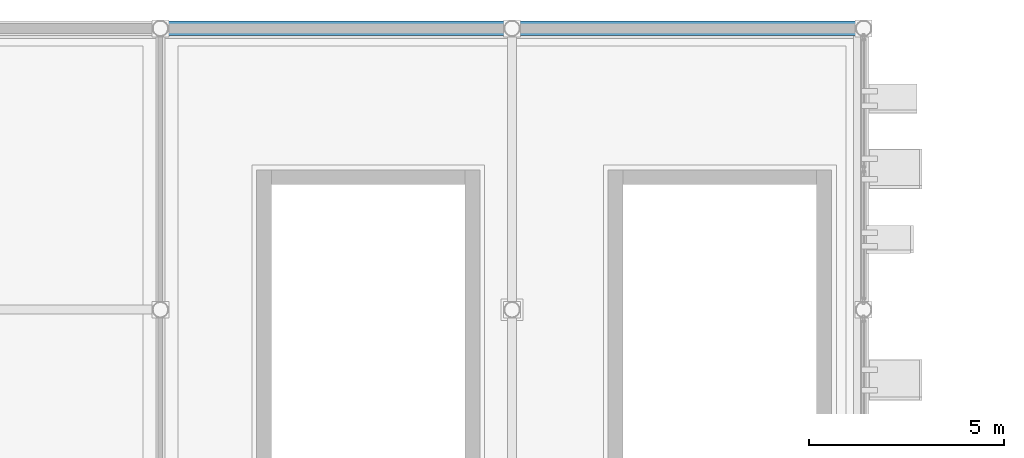
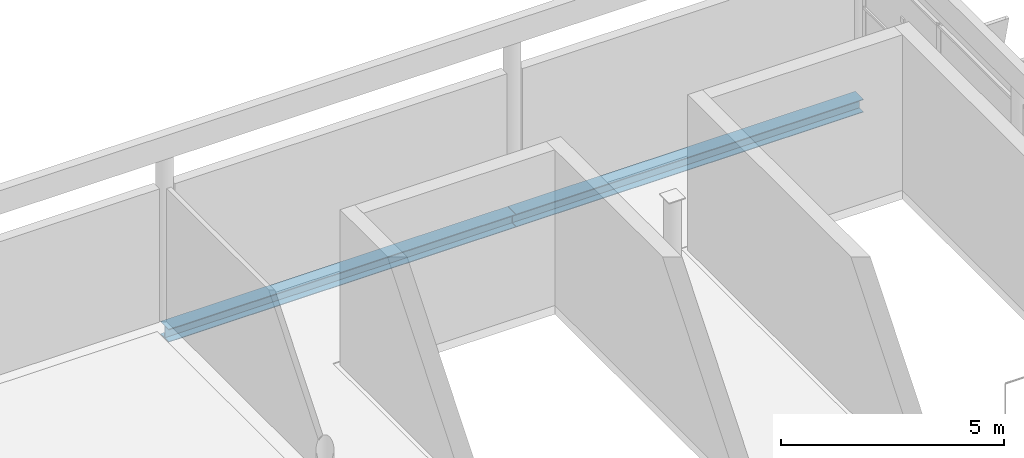
# One storey, part 34 of 52: 2 beams.
"""IFC4 building model written with IfcOpenShell, lengths in metres."""

from ifc_helpers import new_model, si_unit, direction, frame, origin, origin_2d, place, context, subcontext, project, spatial, i_section, extrude, material, material_profile, profile_set, type_object, element, save


model = new_model("IFC4")

# Units and contexts
model_context = context("Model", 3, precision=1e-05, world=origin(), true_north=direction((0.0, 1.0)))
body_context = subcontext(model_context, "Body", "Model", "MODEL_VIEW")
ifc_project = project(units=[si_unit("LENGTHUNIT", "METRE"), si_unit("AREAUNIT", "SQUARE_METRE"), si_unit("VOLUMEUNIT", "CUBIC_METRE"), si_unit("PLANEANGLEUNIT", "RADIAN"), si_unit("MASSUNIT", "GRAM", prefix="KILO")], contexts=[model_context])

# Site, building, storey
site_placement = place(None, origin())
site = spatial("IfcSite", under=ifc_project, at=site_placement, CompositionType="ELEMENT")
building_placement = place(site_placement, origin())
building = spatial("IfcBuilding", under=site, at=building_placement, Name="Celestram Park Convention Centre", CompositionType="ELEMENT")
storey_placement = place(building_placement, frame((0.0, 0.0, 24.300048828125)))
storey = spatial("IfcBuildingStorey", under=building, at=storey_placement, Name="L05", CompositionType="ELEMENT", Elevation=24.300048828125)

# Beams
ifc_material = material(Name="Steel ASTM A992 Grade 50", Category="steel")
ifc_material_profile = material_profile(ifc_material, i_section(OverallWidth=0.367919921875, OverallDepth=0.35595703125, WebThickness=0.01123046875, FlangeThickness=0.01806640625, at=origin_2d()), Name="W14X90")
ifc_profile_set = profile_set([ifc_material_profile], Name="Steel ASTM A992 Grade 50")
beam_type = type_object("IfcBeamType", Name="STR-SPN-W14X90", PredefinedType="SPANDREL", material=ifc_profile_set)
for number, where, z_axis, x_axis, name in (
    (1, (81.0048828125, 165.60009765625, -0.41796875), (1.0, 0.0, 0.0), (0.0, 1.0, 0.0), "Primary X-girder BG-L05-0085"),
    (2, (90.0048828125, 165.60009765625, -0.41796875), (1.0, 0.0, 0.0), (0.0, 1.0, 0.0), "Primary X-girder BG-L05-0099"),
):
    element("IfcBeam", number, at=place(storey_placement, frame(where, z_axis=z_axis, x_axis=x_axis)), inside=storey, type_object=beam_type, Name=name, PredefinedType="SPANDREL", context=body_context, shape_type="SweptSolid", body=[
        extrude(i_section(OverallWidth=0.367919921875, OverallDepth=0.35595703125, WebThickness=0.01123046875, FlangeThickness=0.01806640625, at=origin_2d()), origin(), (0.0, 0.0, 1.0), 8.990234375),
    ])

save(model, "model.ifc")
